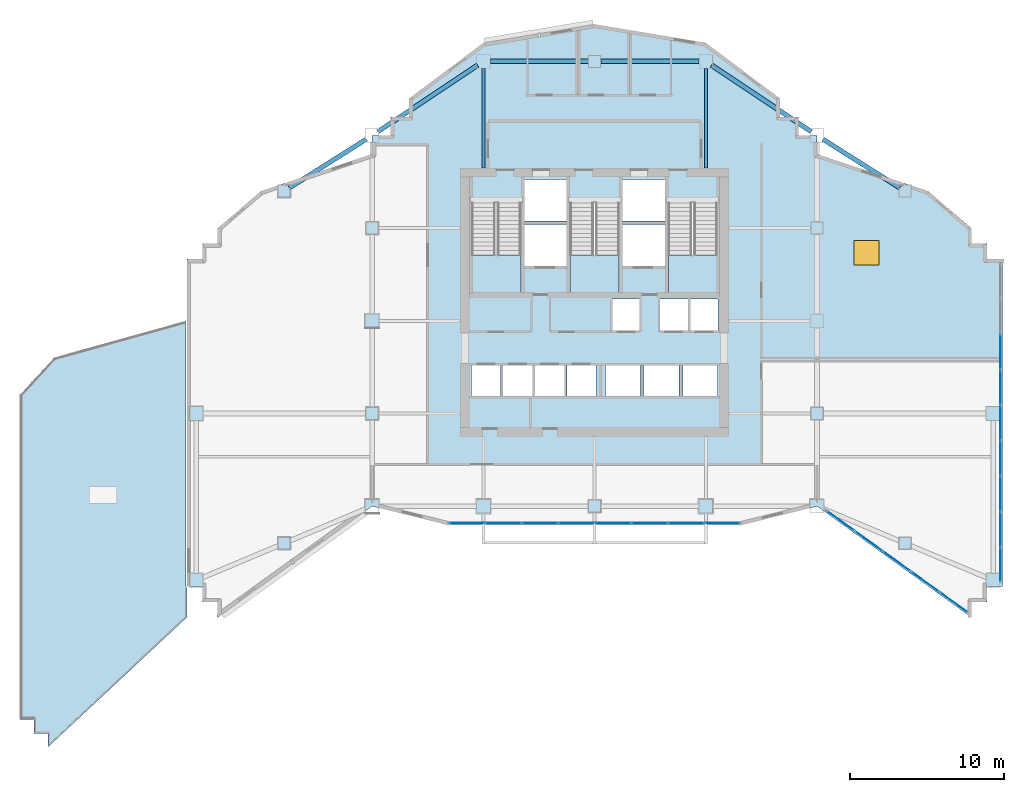
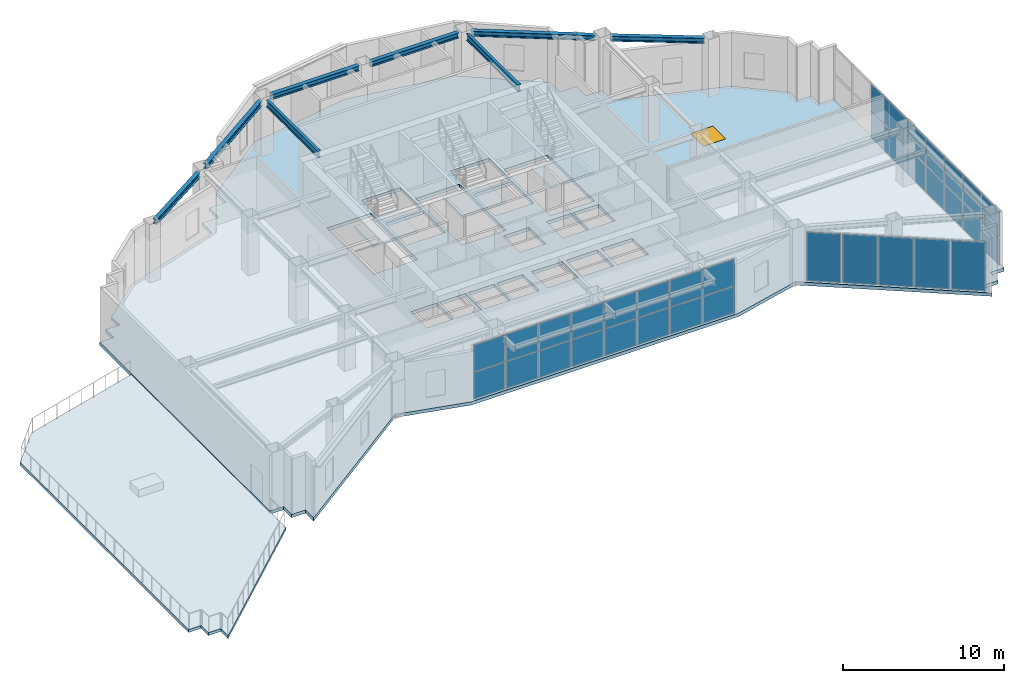
# One storey, part 8 of 16: 35 plates, 8 beams, 5 slabs, 1 window, 1 opening, 6 elements without a shape of their own.
"""IFC4 building model written with IfcOpenShell, lengths in metres."""

import ifcopenshell
import ifcopenshell.guid

model = None  # the IFC model being written
_history = None  # IfcOwnerHistory: only IFC2X3 demands one
_inside = {}  # id of a spatial element -> (the spatial element, [elements in it])
_under = {}  # id of a project, library or spatial element -> (it, [spatial elements below it])
_declared = {}  # id of a project -> (the project, [libraries it declares])
_typed = {}  # id of a type object -> (the type object, [elements of that type])
_made_of = {}  # id of a material, layer set ... -> (it, [elements and type objects made of it])


def new_model(schema):
    """Start an empty IFC model of exactly this schema.

    Asked for "IFC4X3", IfcOpenShell would pick the latest addendum, in which some entities
    have other attributes; the version numbers below select the first issue.
    IFC2X3 requires an IfcOwnerHistory on every rooted entity: one is made here for all.
    """
    global model, _history
    if schema == "IFC4X3":
        model = ifcopenshell.file(schema_version=(4, 3, 0, 0))
    else:
        model = ifcopenshell.file(schema=schema)
    _inside.clear()
    _under.clear()
    _declared.clear()
    _typed.clear()
    _made_of.clear()
    _history = None
    if model.schema == "IFC2X3":
        org = make("IfcOrganization", Name="unknown")
        user = make(
            "IfcPersonAndOrganization",
            ThePerson=make("IfcPerson", FamilyName="unknown"),
            TheOrganization=org,
        )
        app = make(
            "IfcApplication",
            ApplicationDeveloper=org,
            Version="unknown",
            ApplicationFullName="unknown",
            ApplicationIdentifier="unknown",
        )
        _history = make(
            "IfcOwnerHistory",
            OwningUser=user,
            OwningApplication=app,
            ChangeAction="ADDED",
            CreationDate=0,
        )
    return model


def make(cls, **values):
    """One entity of the class cls with the attributes given. An attribute that is None is left unset."""
    return model.create_entity(
        cls, **{name: value for name, value in values.items() if value is not None}
    )


def rooted(cls, **values):
    """An entity with a GlobalId (a new one), such as an element, a storey or a relation."""
    return make(cls, GlobalId=ifcopenshell.guid.new(), OwnerHistory=_history, **values)


def si_unit(unit_type, name, prefix=None):
    """IfcSIUnit, for example si_unit("LENGTHUNIT", "METRE", prefix="MILLI")."""
    return make("IfcSIUnit", UnitType=unit_type, Prefix=prefix, Name=name)


def assignment(units):
    """IfcUnitAssignment: the units of a project."""
    return None if units is None else make("IfcUnitAssignment", Units=units)


def point(xyz):
    """IfcCartesianPoint."""
    return None if xyz is None else make("IfcCartesianPoint", Coordinates=xyz)


def direction(xyz):
    """IfcDirection."""
    return None if xyz is None else make("IfcDirection", DirectionRatios=xyz)


def frame(location, z_axis=None, x_axis=None):
    """IfcAxis2Placement3D, a coordinate frame: its origin and axes. An axis left out is left unset."""
    return make(
        "IfcAxis2Placement3D",
        Location=point(location),
        Axis=direction(z_axis),
        RefDirection=direction(x_axis),
    )


def frame_2d(location, x_axis=None):
    """IfcAxis2Placement2D, a coordinate frame in the plane: its origin and x axis."""
    return make(
        "IfcAxis2Placement2D", Location=point(location), RefDirection=direction(x_axis)
    )


def origin():
    """The frame at (0, 0, 0) with its axes left unset."""
    return frame((0.0, 0.0, 0.0))


def origin_2d():
    """The frame at (0, 0) in the plane with its x axis left unset."""
    return frame_2d((0.0, 0.0))


def place(relative_to, where):
    """IfcLocalPlacement: puts the frame where relative to a parent placement (None: the world)."""
    return make(
        "IfcLocalPlacement", PlacementRelTo=relative_to, RelativePlacement=where
    )


def context(
    kind, dimensions, precision=None, world=None, true_north=None, identifier=None
):
    """IfcGeometricRepresentationContext, for example the 3D "Model" context."""
    return make(
        "IfcGeometricRepresentationContext",
        ContextIdentifier=identifier,
        ContextType=kind,
        CoordinateSpaceDimension=dimensions,
        Precision=precision,
        WorldCoordinateSystem=world,
        TrueNorth=true_north,
    )


def subcontext(parent, identifier, kind, view, scale=None):
    """IfcGeometricRepresentationSubContext, for example "Body" below "Model"."""
    return make(
        "IfcGeometricRepresentationSubContext",
        ContextIdentifier=identifier,
        ContextType=kind,
        ParentContext=parent,
        TargetScale=scale,
        TargetView=view,
    )


def project(units=None, contexts=None):
    """IfcProject with its units and contexts."""
    return rooted(
        "IfcProject",
        Name="project",
        RepresentationContexts=contexts,
        UnitsInContext=assignment(units),
    )


def spatial(cls, under=None, at=None, **own):
    """A site, building, storey or space (cls), placed at a placement, below another one or the project."""
    s = rooted(cls, ObjectPlacement=at, **own)
    if under is not None:
        _under.setdefault(under.id(), (under, []))[1].append(s)
    return s


def polyline(points):
    """IfcPolyline through the points."""
    return make("IfcPolyline", Points=[point(p) for p in points])


def profile(cls, at=None, kind="AREA", **sizes):
    """A parametric profile (cls). Its sizes go by their IFC names, for example OverallWidth=200.0."""
    return make(cls, ProfileType=kind, Position=at, **sizes)


def rectangle(**sizes):
    """IfcRectangleProfileDef."""
    return profile("IfcRectangleProfileDef", **sizes)


def i_section(**sizes):
    """IfcIShapeProfileDef."""
    return profile("IfcIShapeProfileDef", **sizes)


def outline(outer, holes=None, kind="AREA"):
    """IfcArbitraryClosedProfileDef: a profile drawn as a closed curve; with holes, ...WithVoids."""
    if holes is None:
        return make("IfcArbitraryClosedProfileDef", ProfileType=kind, OuterCurve=outer)
    return make(
        "IfcArbitraryProfileDefWithVoids",
        ProfileType=kind,
        OuterCurve=outer,
        InnerCurves=holes,
    )


def extrude(swept, where, along, depth):
    """IfcExtrudedAreaSolid: the profile swept, set in the frame where, extruded along a direction by depth."""
    return make(
        "IfcExtrudedAreaSolid",
        SweptArea=swept,
        Position=where,
        ExtrudedDirection=direction(along),
        Depth=depth,
    )


def shape(context_of_items, identifier, shape_type, items):
    """IfcShapeRepresentation: the items that make up one representation, for example the "Body"."""
    return make(
        "IfcShapeRepresentation",
        ContextOfItems=context_of_items,
        RepresentationIdentifier=identifier,
        RepresentationType=shape_type,
        Items=items,
    )


def material(Name=None, Category=None):
    """IfcMaterial."""
    return make("IfcMaterial", Name=Name, Category=Category)


def layer(
    of_material, thickness, ventilated=None, Name=None, Category=None, Priority=None
):
    """IfcMaterialLayer: one layer of a wall or slab, of a material (None: an air gap)."""
    return make(
        "IfcMaterialLayer",
        Material=of_material,
        LayerThickness=thickness,
        IsVentilated=ventilated,
        Name=Name,
        Category=Category,
        Priority=Priority,
    )


def layer_set(layers, Name=None):
    """IfcMaterialLayerSet."""
    return make("IfcMaterialLayerSet", MaterialLayers=layers, LayerSetName=Name)


def material_profile(
    of_material, cross_section, Name=None, Category=None, Priority=None
):
    """IfcMaterialProfile: a cross section and its material."""
    return make(
        "IfcMaterialProfile",
        Name=Name,
        Material=of_material,
        Profile=cross_section,
        Priority=Priority,
        Category=Category,
    )


def profile_set(profiles, Name=None, composite=None):
    """IfcMaterialProfileSet."""
    return make(
        "IfcMaterialProfileSet",
        Name=Name,
        MaterialProfiles=profiles,
        CompositeProfile=composite,
    )


def made_of(thing, what):
    """Note that an element or type object is made of a material, layer set ...; save() writes the relation."""
    if what is not None:
        _made_of.setdefault(what.id(), (what, []))[1].append(thing)
    return thing


def type_object(cls, material=None, **own):
    """A type object (cls), such as IfcWallType, which elements share."""
    return made_of(rooted(cls, **own), material)


def element(
    cls,
    number,
    at=None,
    inside=None,
    cuts=None,
    type_object=None,
    material=None,
    context=None,
    identifier="Body",
    shape_type=None,
    held_by="IfcProductDefinitionShape",
    body=None,
    shapes=None,
    **own,
):
    """One element of the class cls, such as IfcWall. Its Tag is "e" and its number.

    at: its placement. inside: the storey or other place that contains it. cuts: it is an
    opening in that element (IfcRelVoidsElement). A single representation is given by context,
    identifier, shape_type and body (its items); several are given by shapes. held_by: the class
    of the entity that holds the representations. save() writes the other relations.
    """
    e = rooted(cls, Tag="e%d" % number, ObjectPlacement=at, **own)
    if body is not None:
        shapes = [shape(context, identifier, shape_type, body)]
    if shapes is not None:
        e.Representation = make(held_by, Representations=shapes)
    if inside is not None:
        _inside.setdefault(inside.id(), (inside, []))[1].append(e)
    if cuts is not None:
        rooted(
            "IfcRelVoidsElement", RelatingBuildingElement=cuts, RelatedOpeningElement=e
        )
    if type_object is not None:
        _typed.setdefault(type_object.id(), (type_object, []))[1].append(e)
    return made_of(e, material)


def fill(opening, filler):
    """IfcRelFillsElement: the door or window that sits in an opening."""
    return rooted(
        "IfcRelFillsElement",
        RelatingOpeningElement=opening,
        RelatedBuildingElement=filler,
    )


def aggregate(whole, parts):
    """IfcRelAggregates: a whole, such as a stair, and the parts it consists of."""
    return rooted("IfcRelAggregates", RelatingObject=whole, RelatedObjects=parts)


def save(model, path):
    """Write the relations noted so far, then the file.

    IfcRelAggregates (storeys below a building ...), IfcRelContainedInSpatialStructure (elements
    in a storey), IfcRelDefinesByType, IfcRelAssociatesMaterial and IfcRelDeclares: one each for
    every whole, place, type object, material and project.
    """
    for whole, parts in _under.values():
        aggregate(whole, parts)
    for where, things in _inside.values():
        rooted(
            "IfcRelContainedInSpatialStructure",
            RelatedElements=things,
            RelatingStructure=where,
        )
    for kind, things in _typed.values():
        rooted("IfcRelDefinesByType", RelatedObjects=things, RelatingType=kind)
    for what, things in _made_of.values():
        rooted("IfcRelAssociatesMaterial", RelatedObjects=things, RelatingMaterial=what)
    for by, libraries in _declared.values():
        rooted("IfcRelDeclares", RelatingContext=by, RelatedDefinitions=libraries)
    model.write(path)


model = new_model("IFC4")

# Units and contexts
model_context = context("Model", 3, precision=1e-05, world=origin(), true_north=direction((0.0, 1.0)))
body_context = subcontext(model_context, "Body", "Model", "MODEL_VIEW")
ifc_project = project(units=[si_unit("LENGTHUNIT", "METRE"), si_unit("AREAUNIT", "SQUARE_METRE"), si_unit("VOLUMEUNIT", "CUBIC_METRE"), si_unit("PLANEANGLEUNIT", "RADIAN"), si_unit("MASSUNIT", "GRAM", prefix="KILO")], contexts=[model_context])

# Site, building, storey
site_placement = place(None, origin())
site = spatial("IfcSite", under=ifc_project, at=site_placement, CompositionType="ELEMENT")
building_placement = place(site_placement, origin())
building = spatial("IfcBuilding", under=site, at=building_placement, Name="Haolan Belvedere Tower", CompositionType="ELEMENT")
storey_placement = place(building_placement, frame((0.0, 0.0, 164.60009765625)))
storey = spatial("IfcBuildingStorey", under=building, at=storey_placement, Name="L41", CompositionType="ELEMENT", Elevation=164.60009765625)

# Beams
ifc_material_1 = material(Name="Steel Q355B", Category="steel")
ifc_material_profile_1 = material_profile(ifc_material_1, i_section(OverallWidth=0.300048828125, OverallDepth=0.389892578125, WebThickness=0.010009765625, FlangeThickness=0.01611328125, FilletRadius=0.02197265625, at=origin_2d()), Name="Steel Q355B")
ifc_profile_set_1 = profile_set([ifc_material_profile_1], Name="Steel Q355B")
beam_type_1 = type_object("IfcBeamType", Name="BM-HM390x300x10x16", PredefinedType="SPANDREL", material=ifc_profile_set_1)
beam_1_placement = place(storey_placement, frame((24.37451171875, 45.849609375, 4.02490234375), z_axis=(0.832050294338, 0.554700196225, 0.0), x_axis=(-0.554700196225, 0.832050294338, 0.0)))
element("IfcBeam", 1, at=beam_1_placement, inside=storey, type_object=beam_type_1, Name="L41 spandrel girder MC-T3-NW-MC-T3-N1", PredefinedType="SPANDREL", context=body_context, shape_type="SweptSolid", body=[
    extrude(i_section(OverallWidth=0.300048828125, OverallDepth=0.389892578125, WebThickness=0.010009765625, FlangeThickness=0.01611328125, FilletRadius=0.02197265625, at=origin_2d()), origin(), (0.0, 0.0, 1.0), 7.75341796875),
])
beam_2_placement = place(storey_placement, frame((31.64990234375, 50.39990234375, 4.02490234375), z_axis=(1.0, 0.0, 0.0), x_axis=(0.0, 1.0, 0.0)))
element("IfcBeam", 2, at=beam_2_placement, inside=storey, type_object=beam_type_1, Name="L41 spandrel girder MC-T3-N1-TC-T3-NM", PredefinedType="SPANDREL", context=body_context, shape_type="SweptSolid", body=[
    extrude(i_section(OverallWidth=0.300048828125, OverallDepth=0.389892578125, WebThickness=0.010009765625, FlangeThickness=0.01611328125, FilletRadius=0.02197265625, at=origin_2d()), origin(), (0.0, 0.0, 1.0), 6.35009765625),
])
beam_3_placement = place(storey_placement, frame((38.800048828125, 50.39990234375, 4.02490234375), z_axis=(1.0, 0.0, 0.0), x_axis=(0.0, 1.0, 0.0)))
element("IfcBeam", 3, at=beam_3_placement, inside=storey, type_object=beam_type_1, Name="L41 spandrel girder TC-T3-NM-MC-T3-N2", PredefinedType="SPANDREL", context=body_context, shape_type="SweptSolid", body=[
    extrude(i_section(OverallWidth=0.300048828125, OverallDepth=0.389892578125, WebThickness=0.010009765625, FlangeThickness=0.01611328125, FilletRadius=0.02197265625, at=origin_2d()), origin(), (0.0, 0.0, 1.0), 6.349853515625),
])
beam_4_placement = place(storey_placement, frame((45.974365234375, 50.150390625, 4.02490234375), z_axis=(0.832050294338, -0.554700196225, 0.0), x_axis=(0.554700196225, 0.832050294338, 0.0)))
element("IfcBeam", 4, at=beam_4_placement, inside=storey, type_object=beam_type_1, Name="L41 spandrel girder MC-T3-N2-MC-T3-NE", PredefinedType="SPANDREL", context=body_context, shape_type="SweptSolid", body=[
    extrude(i_section(OverallWidth=0.300048828125, OverallDepth=0.389892578125, WebThickness=0.010009765625, FlangeThickness=0.01611328125, FilletRadius=0.02197265625, at=origin_2d()), origin(), (0.0, 0.0, 1.0), 7.75341796875),
])
for number, where, z_axis, x_axis, name in (
    (5, (18.63818359375, 42.213623046875, 4.02490234375), (0.845502688092, 0.533971164417, 0.0), (-0.533971164417, 0.845502688092, 0.0), "L41 spandrel girder TC-T2-N1-MC-T3-NW"),
    (6, (53.180419921875, 45.359619140625, 4.02490234375), (0.845502688092, -0.533971164417, 0.0), (0.533971164417, 0.845502688092, 0.0), "L41 spandrel girder MC-T3-NE-TC-T4-N1"),
):
    element("IfcBeam", number, at=place(storey_placement, frame(where, z_axis=z_axis, x_axis=x_axis)), inside=storey, type_object=beam_type_1, Name=name, PredefinedType="SPANDREL", context=body_context, shape_type="SweptSolid", body=[
        extrude(i_section(OverallWidth=0.300048828125, OverallDepth=0.389892578125, WebThickness=0.010009765625, FlangeThickness=0.01611328125, FilletRadius=0.02197265625, at=origin_2d()), origin(), (0.0, 0.0, 1.0), 5.8916015625),
    ])
ifc_material_profile_2 = material_profile(ifc_material_1, i_section(OverallWidth=0.199951171875, OverallDepth=0.5, WebThickness=0.010009765625, FlangeThickness=0.01611328125, FilletRadius=0.02001953125, at=origin_2d()), Name="Steel Q355B")
ifc_profile_set_2 = profile_set([ifc_material_profile_2], Name="Steel Q355B")
beam_type_2 = type_object("IfcBeamType", Name="BM-HN500x200x10x16", PredefinedType="BEAM", material=ifc_profile_set_2)
for number, where, z_axis, x_axis, name in (
    (7, (31.199951171875, 49.949951171875, 3.969970703125), (0.0, -1.0, 0.0), (1.0, 0.0, 0.0), "L41 core tie beam from MC-T3-N1"),
    (8, (45.60009765625, 49.949951171875, 3.969970703125), (0.0, -1.0, 0.0), (1.0, 0.0, 0.0), "L41 core tie beam from MC-T3-N2"),
):
    element("IfcBeam", number, at=place(storey_placement, frame(where, z_axis=z_axis, x_axis=x_axis)), inside=storey, type_object=beam_type_2, Name=name, PredefinedType="BEAM", context=body_context, shape_type="SweptSolid", body=[
        extrude(i_section(OverallWidth=0.199951171875, OverallDepth=0.5, WebThickness=0.010009765625, FlangeThickness=0.01611328125, FilletRadius=0.02001953125, at=origin_2d()), origin(), (0.0, 0.0, 1.0), 6.449951171875),
    ])

# Curtain wall, plates
ifc_material_2 = material(Name="Anodised champagne-silver aluminium 6063-T6 and Low-E glass", Category="aluminium")
ifc_layer_1 = layer(ifc_material_2, 0.195068359375, Name="Anodised champagne-silver aluminium 6063-T6 and Low-E glass")
ifc_layer_set_1 = layer_set([ifc_layer_1], Name="Anodised champagne-silver aluminium 6063-T6 and Low-E glass")
curtain_wall_type = type_object("IfcCurtainWallType", Name="CW-SYS-06", PredefinedType="NOTDEFINED", material=ifc_layer_set_1)
curtain_wall_1_placement = place(storey_placement, origin())
curtain_wall_1 = element("IfcCurtainWall", 9, at=curtain_wall_1_placement, inside=storey, type_object=curtain_wall_type, Name="L41 CW-SYS-06 ribbon curtain wall 1.1", PredefinedType="NOTDEFINED")
ifc_material_3 = material(Name="Double silver Low-E laminated insulating glass", Category="glass")
ifc_layer_2 = layer(ifc_material_3, 0.031982421875, Name="Double silver Low-E laminated insulating glass")
ifc_layer_set_2 = layer_set([ifc_layer_2], Name="Double silver Low-E laminated insulating glass")
plate_type = type_object("IfcPlateType", Name="CW-SYS-06-PNL", PredefinedType="CURTAIN_PANEL", material=ifc_layer_set_2)
plate_1_placement = place(storey_placement, frame((30.15283203125, 20.52001953125, 0.06494140625), z_axis=(0.0, 0.0, 1.0), x_axis=(1.0, 0.0, 0.0)))
plate_1 = element("IfcPlate", 10, at=plate_1_placement, type_object=plate_type, Name="CW-06 panel 1.1", PredefinedType="CURTAIN_PANEL", context=body_context, shape_type="SweptSolid", body=[
    extrude(rectangle(XDim=2.25634765625, YDim=0.031982421875, at=origin_2d()), origin(), (0.0, 0.0, 1.0), 2.012451171875),
])
plate_2_placement = place(storey_placement, frame((30.15283203125, 20.52001953125, 2.142578125), z_axis=(0.0, 0.0, 1.0), x_axis=(1.0, 0.0, 0.0)))
plate_2 = element("IfcPlate", 11, at=plate_2_placement, type_object=plate_type, Name="CW-06 panel 1.2", PredefinedType="CURTAIN_PANEL", context=body_context, shape_type="SweptSolid", body=[
    extrude(rectangle(XDim=2.25634765625, YDim=0.031982421875, at=origin_2d()), origin(), (0.0, 0.0, 1.0), 2.012451171875),
])
plate_3_placement = place(storey_placement, frame((32.496826171875, 20.52001953125, 0.06494140625), z_axis=(0.0, 0.0, 1.0), x_axis=(1.0, 0.0, 0.0)))
plate_3 = element("IfcPlate", 12, at=plate_3_placement, type_object=plate_type, Name="CW-06 panel 2.1", PredefinedType="CURTAIN_PANEL", context=body_context, shape_type="SweptSolid", body=[
    extrude(rectangle(XDim=2.291259765625, YDim=0.031982421875, at=origin_2d()), origin(), (0.0, 0.0, 1.0), 2.012451171875),
])
plate_4_placement = place(storey_placement, frame((32.496826171875, 20.52001953125, 2.142578125), z_axis=(0.0, 0.0, 1.0), x_axis=(1.0, 0.0, 0.0)))
plate_4 = element("IfcPlate", 13, at=plate_4_placement, type_object=plate_type, Name="CW-06 panel 2.2", PredefinedType="CURTAIN_PANEL", context=body_context, shape_type="SweptSolid", body=[
    extrude(rectangle(XDim=2.291259765625, YDim=0.031982421875, at=origin_2d()), origin(), (0.0, 0.0, 1.0), 2.012451171875),
])
plate_5_placement = place(storey_placement, frame((34.858154296875, 20.52001953125, 0.06494140625), z_axis=(0.0, 0.0, 1.0), x_axis=(1.0, 0.0, 0.0)))
plate_5 = element("IfcPlate", 14, at=plate_5_placement, type_object=plate_type, Name="CW-06 panel 3.1", PredefinedType="CURTAIN_PANEL", context=body_context, shape_type="SweptSolid", body=[
    extrude(rectangle(XDim=2.291259765625, YDim=0.031982421875, at=origin_2d()), origin(), (0.0, 0.0, 1.0), 2.012451171875),
])
plate_6_placement = place(storey_placement, frame((34.858154296875, 20.52001953125, 2.142578125), z_axis=(0.0, 0.0, 1.0), x_axis=(1.0, 0.0, 0.0)))
plate_6 = element("IfcPlate", 15, at=plate_6_placement, type_object=plate_type, Name="CW-06 panel 3.2", PredefinedType="CURTAIN_PANEL", context=body_context, shape_type="SweptSolid", body=[
    extrude(rectangle(XDim=2.291259765625, YDim=0.031982421875, at=origin_2d()), origin(), (0.0, 0.0, 1.0), 2.012451171875),
])
plate_7_placement = place(storey_placement, frame((37.21923828125, 20.52001953125, 0.06494140625), z_axis=(0.0, 0.0, 1.0), x_axis=(1.0, 0.0, 0.0)))
plate_7 = element("IfcPlate", 16, at=plate_7_placement, type_object=plate_type, Name="CW-06 panel 4.1", PredefinedType="CURTAIN_PANEL", context=body_context, shape_type="SweptSolid", body=[
    extrude(rectangle(XDim=2.291259765625, YDim=0.031982421875, at=origin_2d()), origin(), (0.0, 0.0, 1.0), 2.012451171875),
])
plate_8_placement = place(storey_placement, frame((37.21923828125, 20.52001953125, 2.142578125), z_axis=(0.0, 0.0, 1.0), x_axis=(1.0, 0.0, 0.0)))
plate_8 = element("IfcPlate", 17, at=plate_8_placement, type_object=plate_type, Name="CW-06 panel 4.2", PredefinedType="CURTAIN_PANEL", context=body_context, shape_type="SweptSolid", body=[
    extrude(rectangle(XDim=2.291259765625, YDim=0.031982421875, at=origin_2d()), origin(), (0.0, 0.0, 1.0), 2.012451171875),
])
plate_9_placement = place(storey_placement, frame((39.58056640625, 20.52001953125, 0.06494140625), z_axis=(0.0, 0.0, 1.0), x_axis=(1.0, 0.0, 0.0)))
plate_9 = element("IfcPlate", 18, at=plate_9_placement, type_object=plate_type, Name="CW-06 panel 5.1", PredefinedType="CURTAIN_PANEL", context=body_context, shape_type="SweptSolid", body=[
    extrude(rectangle(XDim=2.291259765625, YDim=0.031982421875, at=origin_2d()), origin(), (0.0, 0.0, 1.0), 2.012451171875),
])
plate_10_placement = place(storey_placement, frame((39.58056640625, 20.52001953125, 2.142578125), z_axis=(0.0, 0.0, 1.0), x_axis=(1.0, 0.0, 0.0)))
plate_10 = element("IfcPlate", 19, at=plate_10_placement, type_object=plate_type, Name="CW-06 panel 5.2", PredefinedType="CURTAIN_PANEL", context=body_context, shape_type="SweptSolid", body=[
    extrude(rectangle(XDim=2.291259765625, YDim=0.031982421875, at=origin_2d()), origin(), (0.0, 0.0, 1.0), 2.012451171875),
])
plate_11_placement = place(storey_placement, frame((41.94189453125, 20.52001953125, 0.06494140625), z_axis=(0.0, 0.0, 1.0), x_axis=(1.0, 0.0, 0.0)))
plate_11 = element("IfcPlate", 20, at=plate_11_placement, type_object=plate_type, Name="CW-06 panel 6.1", PredefinedType="CURTAIN_PANEL", context=body_context, shape_type="SweptSolid", body=[
    extrude(rectangle(XDim=2.291259765625, YDim=0.031982421875, at=origin_2d()), origin(), (0.0, 0.0, 1.0), 2.012451171875),
])
plate_12_placement = place(storey_placement, frame((41.94189453125, 20.52001953125, 2.142578125), z_axis=(0.0, 0.0, 1.0), x_axis=(1.0, 0.0, 0.0)))
plate_12 = element("IfcPlate", 21, at=plate_12_placement, type_object=plate_type, Name="CW-06 panel 6.2", PredefinedType="CURTAIN_PANEL", context=body_context, shape_type="SweptSolid", body=[
    extrude(rectangle(XDim=2.291259765625, YDim=0.031982421875, at=origin_2d()), origin(), (0.0, 0.0, 1.0), 2.012451171875),
])
plate_13_placement = place(storey_placement, frame((44.30322265625, 20.52001953125, 0.06494140625), z_axis=(0.0, 0.0, 1.0), x_axis=(1.0, 0.0, 0.0)))
plate_13 = element("IfcPlate", 22, at=plate_13_placement, type_object=plate_type, Name="CW-06 panel 7.1", PredefinedType="CURTAIN_PANEL", context=body_context, shape_type="SweptSolid", body=[
    extrude(rectangle(XDim=2.291259765625, YDim=0.031982421875, at=origin_2d()), origin(), (0.0, 0.0, 1.0), 2.012451171875),
])
plate_14_placement = place(storey_placement, frame((44.30322265625, 20.52001953125, 2.142578125), z_axis=(0.0, 0.0, 1.0), x_axis=(1.0, 0.0, 0.0)))
plate_14 = element("IfcPlate", 23, at=plate_14_placement, type_object=plate_type, Name="CW-06 panel 7.2", PredefinedType="CURTAIN_PANEL", context=body_context, shape_type="SweptSolid", body=[
    extrude(rectangle(XDim=2.291259765625, YDim=0.031982421875, at=origin_2d()), origin(), (0.0, 0.0, 1.0), 2.012451171875),
])
plate_15_placement = place(storey_placement, frame((46.64697265625, 20.52001953125, 0.06494140625), z_axis=(0.0, 0.0, 1.0), x_axis=(1.0, 0.0, 0.0)))
plate_15 = element("IfcPlate", 24, at=plate_15_placement, type_object=plate_type, Name="CW-06 panel 8.1", PredefinedType="CURTAIN_PANEL", context=body_context, shape_type="SweptSolid", body=[
    extrude(rectangle(XDim=2.25634765625, YDim=0.031982421875, at=origin_2d()), origin(), (0.0, 0.0, 1.0), 2.012451171875),
])
plate_16_placement = place(storey_placement, frame((46.64697265625, 20.52001953125, 2.142578125), z_axis=(0.0, 0.0, 1.0), x_axis=(1.0, 0.0, 0.0)))
plate_16 = element("IfcPlate", 25, at=plate_16_placement, type_object=plate_type, Name="CW-06 panel 8.2", PredefinedType="CURTAIN_PANEL", context=body_context, shape_type="SweptSolid", body=[
    extrude(rectangle(XDim=2.25634765625, YDim=0.031982421875, at=origin_2d()), origin(), (0.0, 0.0, 1.0), 2.012451171875),
])
aggregate(curtain_wall_1, [plate_1, plate_2, plate_3, plate_4, plate_5, plate_6, plate_7, plate_8, plate_9, plate_10, plate_11, plate_12, plate_13, plate_14, plate_15, plate_16])

curtain_wall_2_placement = place(storey_placement, origin())
curtain_wall_2 = element("IfcCurtainWall", 26, at=curtain_wall_2_placement, inside=storey, type_object=curtain_wall_type, Name="L41 CW-SYS-06 ribbon curtain wall 3.1", PredefinedType="NOTDEFINED")
plate_17_placement = place(storey_placement, frame((54.311279296875, 20.65966796875, 0.06494140625), z_axis=(0.0, 0.0, 1.0), x_axis=(0.81153986988, -0.584297047396, 0.0)))
plate_17 = element("IfcPlate", 27, at=plate_17_placement, type_object=plate_type, Name="CW-06 panel 1.1", PredefinedType="CURTAIN_PANEL", context=body_context, shape_type="SweptSolid", body=[
    extrude(rectangle(XDim=2.159423828125, YDim=0.031982421875, at=origin_2d()), origin(), (0.0, 0.0, 1.0), 3.68505859375),
])
plate_18_placement = place(storey_placement, frame((56.134765625, 19.346923828125, 0.06494140625), z_axis=(0.0, 0.0, 1.0), x_axis=(0.81153986988, -0.584297047396, 0.0)))
plate_18 = element("IfcPlate", 28, at=plate_18_placement, type_object=plate_type, Name="CW-06 panel 2.1", PredefinedType="CURTAIN_PANEL", context=body_context, shape_type="SweptSolid", body=[
    extrude(rectangle(XDim=2.1943359375, YDim=0.031982421875, at=origin_2d()), origin(), (0.0, 0.0, 1.0), 3.68505859375),
])
plate_19_placement = place(storey_placement, frame((57.972412109375, 18.023681640625, 0.06494140625), z_axis=(0.0, 0.0, 1.0), x_axis=(0.81153986988, -0.584297047396, 0.0)))
plate_19 = element("IfcPlate", 29, at=plate_19_placement, type_object=plate_type, Name="CW-06 panel 3.1", PredefinedType="CURTAIN_PANEL", context=body_context, shape_type="SweptSolid", body=[
    extrude(rectangle(XDim=2.1943359375, YDim=0.031982421875, at=origin_2d()), origin(), (0.0, 0.0, 1.0), 3.68505859375),
])
plate_20_placement = place(storey_placement, frame((59.81005859375, 16.70068359375, 0.06494140625), z_axis=(0.0, 0.0, 1.0), x_axis=(0.81153986988, -0.584297047396, 0.0)))
plate_20 = element("IfcPlate", 30, at=plate_20_placement, type_object=plate_type, Name="CW-06 panel 4.1", PredefinedType="CURTAIN_PANEL", context=body_context, shape_type="SweptSolid", body=[
    extrude(rectangle(XDim=2.1943359375, YDim=0.031982421875, at=origin_2d()), origin(), (0.0, 0.0, 1.0), 3.68505859375),
])
plate_21_placement = place(storey_placement, frame((61.63330078125, 15.387939453125, 0.06494140625), z_axis=(0.0, 0.0, 1.0), x_axis=(0.81153986988, -0.584297047396, 0.0)))
plate_21 = element("IfcPlate", 31, at=plate_21_placement, type_object=plate_type, Name="CW-06 panel 5.1", PredefinedType="CURTAIN_PANEL", context=body_context, shape_type="SweptSolid", body=[
    extrude(rectangle(XDim=2.159423828125, YDim=0.031982421875, at=origin_2d()), origin(), (0.0, 0.0, 1.0), 3.68505859375),
])
aggregate(curtain_wall_2, [plate_17, plate_18, plate_19, plate_20, plate_21])

curtain_wall_3_placement = place(storey_placement, origin())
curtain_wall_3 = element("IfcCurtainWall", 32, at=curtain_wall_3_placement, inside=storey, type_object=curtain_wall_type, Name="L41 CW-SYS-06 ribbon curtain wall 8.1", PredefinedType="NOTDEFINED")
plate_22_placement = place(storey_placement, frame((64.679931640625, 17.826416015625, 0.06494140625), z_axis=(0.0, 0.0, 1.0), x_axis=(0.0, 1.0, 0.0)))
plate_22 = element("IfcPlate", 33, at=plate_22_placement, type_object=plate_type, Name="CW-06 panel 1.1", PredefinedType="CURTAIN_PANEL", context=body_context, shape_type="SweptSolid", body=[
    extrude(rectangle(XDim=2.19287109375, YDim=0.031982421875, at=origin_2d()), origin(), (0.0, 0.0, 1.0), 2.012451171875),
])
plate_23_placement = place(storey_placement, frame((64.679931640625, 17.826416015625, 2.142578125), z_axis=(0.0, 0.0, 1.0), x_axis=(0.0, 1.0, 0.0)))
plate_23 = element("IfcPlate", 34, at=plate_23_placement, type_object=plate_type, Name="CW-06 panel 1.2", PredefinedType="CURTAIN_PANEL", context=body_context, shape_type="SweptSolid", body=[
    extrude(rectangle(XDim=2.19287109375, YDim=0.031982421875, at=origin_2d()), origin(), (0.0, 0.0, 1.0), 2.012451171875),
])
plate_24_placement = place(storey_placement, frame((64.679931640625, 20.106689453125, 0.06494140625), z_axis=(0.0, 0.0, 1.0), x_axis=(0.0, 1.0, 0.0)))
plate_24 = element("IfcPlate", 35, at=plate_24_placement, type_object=plate_type, Name="CW-06 panel 2.1", PredefinedType="CURTAIN_PANEL", context=body_context, shape_type="SweptSolid", body=[
    extrude(rectangle(XDim=2.227783203125, YDim=0.031982421875, at=origin_2d()), origin(), (0.0, 0.0, 1.0), 2.012451171875),
])
plate_25_placement = place(storey_placement, frame((64.679931640625, 20.106689453125, 2.142578125), z_axis=(0.0, 0.0, 1.0), x_axis=(0.0, 1.0, 0.0)))
plate_25 = element("IfcPlate", 36, at=plate_25_placement, type_object=plate_type, Name="CW-06 panel 2.2", PredefinedType="CURTAIN_PANEL", context=body_context, shape_type="SweptSolid", body=[
    extrude(rectangle(XDim=2.227783203125, YDim=0.031982421875, at=origin_2d()), origin(), (0.0, 0.0, 1.0), 2.012451171875),
])
plate_26_placement = place(storey_placement, frame((64.679931640625, 22.404541015625, 0.06494140625), z_axis=(0.0, 0.0, 1.0), x_axis=(0.0, 1.0, 0.0)))
plate_26 = element("IfcPlate", 37, at=plate_26_placement, type_object=plate_type, Name="CW-06 panel 3.1", PredefinedType="CURTAIN_PANEL", context=body_context, shape_type="SweptSolid", body=[
    extrude(rectangle(XDim=2.227783203125, YDim=0.031982421875, at=origin_2d()), origin(), (0.0, 0.0, 1.0), 2.012451171875),
])
plate_27_placement = place(storey_placement, frame((64.679931640625, 22.404541015625, 2.142578125), z_axis=(0.0, 0.0, 1.0), x_axis=(0.0, 1.0, 0.0)))
plate_27 = element("IfcPlate", 38, at=plate_27_placement, type_object=plate_type, Name="CW-06 panel 3.2", PredefinedType="CURTAIN_PANEL", context=body_context, shape_type="SweptSolid", body=[
    extrude(rectangle(XDim=2.227783203125, YDim=0.031982421875, at=origin_2d()), origin(), (0.0, 0.0, 1.0), 2.012451171875),
])
plate_28_placement = place(storey_placement, frame((64.679931640625, 24.7021484375, 0.06494140625), z_axis=(0.0, 0.0, 1.0), x_axis=(0.0, 1.0, 0.0)))
plate_28 = element("IfcPlate", 39, at=plate_28_placement, type_object=plate_type, Name="CW-06 panel 4.1", PredefinedType="CURTAIN_PANEL", context=body_context, shape_type="SweptSolid", body=[
    extrude(rectangle(XDim=2.227783203125, YDim=0.031982421875, at=origin_2d()), origin(), (0.0, 0.0, 1.0), 2.012451171875),
])
plate_29_placement = place(storey_placement, frame((64.679931640625, 24.7021484375, 2.142578125), z_axis=(0.0, 0.0, 1.0), x_axis=(0.0, 1.0, 0.0)))
plate_29 = element("IfcPlate", 40, at=plate_29_placement, type_object=plate_type, Name="CW-06 panel 4.2", PredefinedType="CURTAIN_PANEL", context=body_context, shape_type="SweptSolid", body=[
    extrude(rectangle(XDim=2.227783203125, YDim=0.031982421875, at=origin_2d()), origin(), (0.0, 0.0, 1.0), 2.012451171875),
])
plate_30_placement = place(storey_placement, frame((64.679931640625, 27.0, 0.06494140625), z_axis=(0.0, 0.0, 1.0), x_axis=(0.0, 1.0, 0.0)))
plate_30 = element("IfcPlate", 41, at=plate_30_placement, type_object=plate_type, Name="CW-06 panel 5.1", PredefinedType="CURTAIN_PANEL", context=body_context, shape_type="SweptSolid", body=[
    extrude(rectangle(XDim=2.227783203125, YDim=0.031982421875, at=origin_2d()), origin(), (0.0, 0.0, 1.0), 2.012451171875),
])
plate_31_placement = place(storey_placement, frame((64.679931640625, 27.0, 2.142578125), z_axis=(0.0, 0.0, 1.0), x_axis=(0.0, 1.0, 0.0)))
plate_31 = element("IfcPlate", 42, at=plate_31_placement, type_object=plate_type, Name="CW-06 panel 5.2", PredefinedType="CURTAIN_PANEL", context=body_context, shape_type="SweptSolid", body=[
    extrude(rectangle(XDim=2.227783203125, YDim=0.031982421875, at=origin_2d()), origin(), (0.0, 0.0, 1.0), 2.012451171875),
])
plate_32_placement = place(storey_placement, frame((64.679931640625, 29.2978515625, 0.06494140625), z_axis=(0.0, 0.0, 1.0), x_axis=(0.0, 1.0, 0.0)))
plate_32 = element("IfcPlate", 43, at=plate_32_placement, type_object=plate_type, Name="CW-06 panel 6.1", PredefinedType="CURTAIN_PANEL", context=body_context, shape_type="SweptSolid", body=[
    extrude(rectangle(XDim=2.227783203125, YDim=0.031982421875, at=origin_2d()), origin(), (0.0, 0.0, 1.0), 2.012451171875),
])
plate_33_placement = place(storey_placement, frame((64.679931640625, 29.2978515625, 2.142578125), z_axis=(0.0, 0.0, 1.0), x_axis=(0.0, 1.0, 0.0)))
plate_33 = element("IfcPlate", 44, at=plate_33_placement, type_object=plate_type, Name="CW-06 panel 6.2", PredefinedType="CURTAIN_PANEL", context=body_context, shape_type="SweptSolid", body=[
    extrude(rectangle(XDim=2.227783203125, YDim=0.031982421875, at=origin_2d()), origin(), (0.0, 0.0, 1.0), 2.012451171875),
])
plate_34_placement = place(storey_placement, frame((64.679931640625, 31.595458984375, 0.06494140625), z_axis=(0.0, 0.0, 1.0), x_axis=(0.0, 1.0, 0.0)))
plate_34 = element("IfcPlate", 45, at=plate_34_placement, type_object=plate_type, Name="CW-06 panel 7.1", PredefinedType="CURTAIN_PANEL", context=body_context, shape_type="SweptSolid", body=[
    extrude(rectangle(XDim=2.227783203125, YDim=0.031982421875, at=origin_2d()), origin(), (0.0, 0.0, 1.0), 2.012451171875),
])
plate_35_placement = place(storey_placement, frame((64.679931640625, 31.595458984375, 2.142578125), z_axis=(0.0, 0.0, 1.0), x_axis=(0.0, 1.0, 0.0)))
plate_35 = element("IfcPlate", 46, at=plate_35_placement, type_object=plate_type, Name="CW-06 panel 7.2", PredefinedType="CURTAIN_PANEL", context=body_context, shape_type="SweptSolid", body=[
    extrude(rectangle(XDim=2.227783203125, YDim=0.031982421875, at=origin_2d()), origin(), (0.0, 0.0, 1.0), 2.012451171875),
])
aggregate(curtain_wall_3, [plate_22, plate_23, plate_24, plate_25, plate_26, plate_27, plate_28, plate_29, plate_30, plate_31, plate_32, plate_33, plate_34, plate_35])

# Slab, opening, window
ifc_material_4 = material(Name="Concrete C40/50", Category="concrete")
ifc_layer_3 = layer(ifc_material_4, 0.25, Name="Concrete C40/50")
ifc_layer_set_3 = layer_set([ifc_layer_3], Name="Concrete C40/50")
slab_type_1 = type_object("IfcSlabType", Name="SL-FLR-250", PredefinedType="FLOOR", material=ifc_layer_set_3)
slab_1_placement = place(storey_placement, frame((0.0, 0.0, -0.25)))
slab_1 = element("IfcSlab", 47, at=slab_1_placement, inside=storey, type_object=slab_type_1, Name="L41 structural floor slab", PredefinedType="FLOOR", context=body_context, shape_type="SweptSolid", body=[
    extrude(outline(polyline([(24.0, 21.60009765625), (28.800048828125, 20.39990234375), (48.0, 20.39990234375), (52.800048828125, 21.60009765625), (62.800048828125, 14.39990234375), (62.800048828125, 15.39990234375), (63.800048828125, 15.39990234375), (63.800048828125, 16.39990234375), (64.800048828125, 16.39990234375), (64.800048828125, 37.60009765625), (63.800048828125, 37.60009765625), (63.800048828125, 38.60009765625), (62.800048828125, 38.60009765625), (62.800048828125, 39.60009765625), (60.0, 42.0), (52.800048828125, 44.39990234375), (52.800048828125, 45.60009765625), (51.60009765625, 45.60009765625), (51.60009765625, 46.800048828125), (50.39990234375, 46.800048828125), (50.39990234375, 48.0), (45.60009765625, 51.60009765625), (38.39990234375, 52.800048828125), (31.199951171875, 51.60009765625), (26.39990234375, 48.0), (26.39990234375, 46.800048828125), (25.199951171875, 46.800048828125), (25.199951171875, 45.60009765625), (24.0, 45.60009765625), (24.0, 44.39990234375), (16.800048828125, 42.0), (14.0, 39.60009765625), (14.0, 38.60009765625), (13.0, 38.60009765625), (13.0, 37.60009765625), (12.0, 37.60009765625), (12.0, 16.800048828125), (12.0, 16.39990234375), (13.0, 16.39990234375), (13.0, 15.39990234375), (14.0, 15.39990234375), (14.0, 14.39990234375), (24.0, 21.60009765625)]), holes=[polyline([(30.449951171875, 41.22998046875), (30.449951171875, 35.449951171875), (33.6298828125, 35.449951171875), (33.6298828125, 41.22998046875), (30.449951171875, 41.22998046875)]), polyline([(36.81005859375, 41.22998046875), (36.81005859375, 35.449951171875), (39.989990234375, 35.449951171875), (39.989990234375, 41.22998046875), (36.81005859375, 41.22998046875)]), polyline([(43.169921875, 41.22998046875), (43.169921875, 35.449951171875), (46.35009765625, 35.449951171875), (46.35009765625, 41.22998046875), (43.169921875, 41.22998046875)]), polyline([(33.830078125, 40.050048828125), (36.610107421875, 40.050048828125), (36.610107421875, 42.75), (33.830078125, 42.75), (33.830078125, 40.050048828125)]), polyline([(33.830078125, 37.14990234375), (36.610107421875, 37.14990234375), (36.610107421875, 39.85009765625), (33.830078125, 39.85009765625), (33.830078125, 37.14990234375)]), polyline([(40.18994140625, 40.050048828125), (42.969970703125, 40.050048828125), (42.969970703125, 42.75), (40.18994140625, 42.75), (40.18994140625, 40.050048828125)]), polyline([(40.18994140625, 37.14990234375), (42.969970703125, 37.14990234375), (42.969970703125, 39.85009765625), (40.18994140625, 39.85009765625), (40.18994140625, 37.14990234375)]), polyline([(39.5400390625, 32.949951171875), (41.389892578125, 32.949951171875), (41.389892578125, 35.0), (39.5400390625, 35.0), (39.5400390625, 32.949951171875)]), polyline([(42.6201171875, 32.949951171875), (44.469970703125, 32.949951171875), (44.469970703125, 35.0), (42.6201171875, 35.0), (42.6201171875, 32.949951171875)]), polyline([(44.580078125, 32.949951171875), (46.3798828125, 32.949951171875), (46.3798828125, 35.0), (44.580078125, 35.0), (44.580078125, 32.949951171875)]), polyline([(30.419921875, 28.75), (32.320068359375, 28.75), (32.320068359375, 30.75), (30.419921875, 30.75), (30.419921875, 28.75)]), polyline([(32.47998046875, 28.75), (34.3798828125, 28.75), (34.3798828125, 30.75), (32.47998046875, 30.75), (32.47998046875, 28.75)]), polyline([(34.5400390625, 28.75), (36.43994140625, 28.75), (36.43994140625, 30.75), (34.5400390625, 30.75), (34.5400390625, 28.75)]), polyline([(36.60009765625, 28.75), (38.5, 28.75), (38.5, 30.75), (36.60009765625, 30.75), (36.60009765625, 28.75)]), polyline([(39.10009765625, 28.75), (41.340087890625, 28.75), (41.340087890625, 30.75), (39.10009765625, 30.75), (39.10009765625, 28.75)]), polyline([(41.610107421875, 28.75), (43.85009765625, 28.75), (43.85009765625, 30.75), (41.610107421875, 30.75), (41.610107421875, 28.75)]), polyline([(44.1201171875, 28.75), (46.360107421875, 28.75), (46.360107421875, 30.75), (44.1201171875, 30.75), (44.1201171875, 28.75)])]), origin(), (0.0, 0.0, 1.0), 0.25),
])
opening_placement = place(slab_1_placement, frame((56.0, 38.0, 0.0)))
opening = element("IfcOpeningElement", 48, at=opening_placement, cuts=slab_1, Name="Opening SK-01", PredefinedType="OPENING", context=body_context, shape_type="SweptSolid", body=[
    extrude(rectangle(XDim=1.60009765625, YDim=1.60009765625, at=origin_2d()), frame((0.0, 0.0, -0.010009765625)), (0.0, 0.0, 1.0), 0.27001953125),
])
ifc_material_5 = material(Name="Laminated solar-control skylight glass", Category="glass")
window_type = type_object("IfcWindowType", Name="WN-SKY-160", PartitioningType="SINGLE_PANEL", PredefinedType="SKYLIGHT", material=ifc_material_5)
window_placement = place(opening_placement, frame((0.0, 0.0, 0.199951171875)))
window = element("IfcWindow", 49, at=window_placement, inside=storey, type_object=window_type, Name="L41 architectural daylight skylight SKY-L41-1", OverallHeight=1.60009765625, OverallWidth=1.60009765625, PartitioningType="SINGLE_PANEL", PredefinedType="SKYLIGHT", context=body_context, shape_type="SweptSolid", body=[
    extrude(rectangle(XDim=1.60009765625, YDim=1.60009765625, at=origin_2d()), origin(), (0.0, 0.0, 1.0), 0.050048828125),
])
fill(opening, window)

# Stair, slab
stair_type = type_object("IfcStairType", Name="STR-DL-26R-169", PredefinedType="HALF_TURN_STAIR", material=ifc_material_4)
stair_1_placement = place(storey_placement, origin())
stair_1 = element("IfcStair", 50, at=stair_1_placement, inside=storey, type_object=stair_type, Name="L41 Smokeproof Core Exit Stair ST1", PredefinedType="HALF_TURN_STAIR")
ifc_layer_4 = layer(ifc_material_4, 0.199951171875, Name="Concrete C40/50")
ifc_layer_set_4 = layer_set([ifc_layer_4], Name="Concrete C40/50")
slab_type_2 = type_object("IfcSlabType", Name="SL-LAND-200", PredefinedType="LANDING", material=ifc_layer_set_4)
slab_2_placement = place(storey_placement, frame((0.0, 0.0, 2.0)))
slab_2 = element("IfcSlab", 51, at=slab_2_placement, type_object=slab_type_2, Name="ST1 landing 1", PredefinedType="LANDING", context=body_context, shape_type="SweptSolid", body=[
    extrude(outline(polyline([(30.449951171875, 37.8701171875), (30.449951171875, 35.449951171875), (33.6298828125, 35.449951171875), (33.6298828125, 37.8701171875), (30.449951171875, 37.8701171875)])), origin(), (0.0, 0.0, 1.0), 0.199951171875),
])
aggregate(stair_1, [slab_2])

stair_2_placement = place(storey_placement, origin())
stair_2 = element("IfcStair", 52, at=stair_2_placement, inside=storey, type_object=stair_type, Name="L41 Smokeproof Core Exit Stair ST3", PredefinedType="HALF_TURN_STAIR")
slab_3_placement = place(storey_placement, frame((0.0, 0.0, 2.0)))
slab_3 = element("IfcSlab", 53, at=slab_3_placement, type_object=slab_type_2, Name="ST3 landing 1", PredefinedType="LANDING", context=body_context, shape_type="SweptSolid", body=[
    extrude(outline(polyline([(36.81005859375, 37.8701171875), (36.81005859375, 35.449951171875), (39.989990234375, 35.449951171875), (39.989990234375, 37.8701171875), (36.81005859375, 37.8701171875)])), origin(), (0.0, 0.0, 1.0), 0.199951171875),
])
aggregate(stair_2, [slab_3])

stair_3_placement = place(storey_placement, origin())
stair_3 = element("IfcStair", 54, at=stair_3_placement, inside=storey, type_object=stair_type, Name="L41 Smokeproof Core Exit Stair ST2", PredefinedType="HALF_TURN_STAIR")
slab_4_placement = place(storey_placement, frame((0.0, 0.0, 2.0)))
slab_4 = element("IfcSlab", 55, at=slab_4_placement, type_object=slab_type_2, Name="ST2 landing 1", PredefinedType="LANDING", context=body_context, shape_type="SweptSolid", body=[
    extrude(outline(polyline([(43.169921875, 37.8701171875), (43.169921875, 35.449951171875), (46.35009765625, 35.449951171875), (46.35009765625, 37.8701171875), (43.169921875, 37.8701171875)])), origin(), (0.0, 0.0, 1.0), 0.199951171875),
])
aggregate(stair_3, [slab_4])

# Slab
ifc_layer_5 = layer(ifc_material_4, 0.219970703125, Name="Concrete C40/50")
ifc_layer_set_5 = layer_set([ifc_layer_5], Name="Concrete C40/50")
slab_type_3 = type_object("IfcSlabType", Name="SL-TER-220", PredefinedType="FLOOR", material=ifc_layer_set_5)
slab_5_placement = place(storey_placement, frame((0.0, 0.0, -0.239990234375)))
element("IfcSlab", 56, at=slab_5_placement, inside=storey, type_object=slab_type_3, Name="L41 planted garden terrace slab 1", PredefinedType="FLOOR", context=body_context, shape_type="SweptSolid", body=[
    extrude(outline(polyline([(2.10009765625, 7.79638671875), (2.10009765625, 6.89990234375), (2.996337890625, 6.89990234375), (2.999755859375, 6.89990234375), (3.0, 6.896240234375), (3.0, 6.0), (12.0, 14.39990234375), (12.0, 16.321533203125), (11.9599609375, 16.370361328125), (11.957275390625, 16.37451171875), (11.954833984375, 16.378662109375), (11.952880859375, 16.38330078125), (11.95166015625, 16.387939453125), (11.95068359375, 16.392578125), (11.9501953125, 16.398681640625), (11.949951171875, 16.40185546875), (11.949951171875, 33.5859375), (3.39990234375, 31.199951171875), (1.199951171875, 28.800048828125), (1.199951171875, 7.800048828125), (2.09619140625, 7.800048828125), (2.099853515625, 7.7998046875), (2.10009765625, 7.79638671875)])), origin(), (0.0, 0.0, 1.0), 0.219970703125),
])

save(model, "model.ifc")
